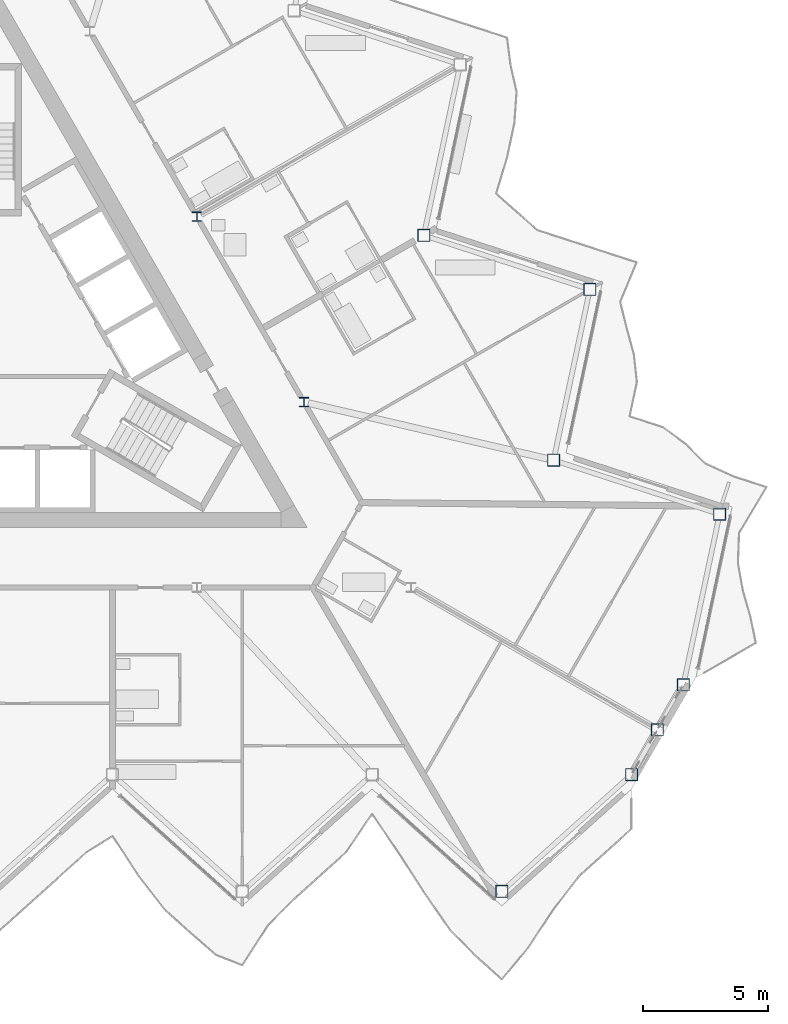
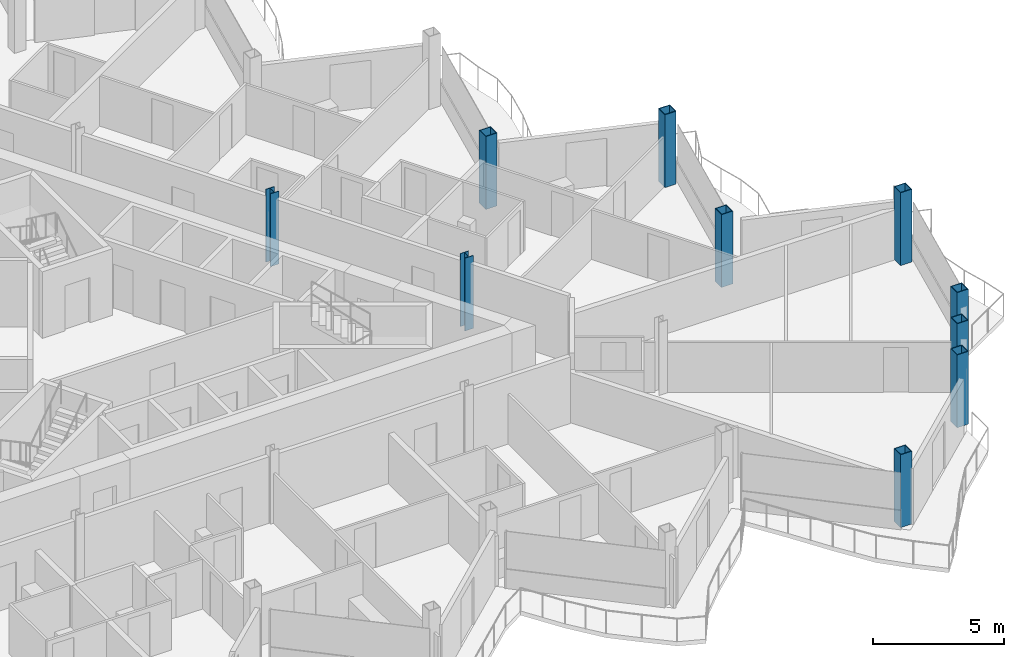
# One storey, part 2 of 26: 10 columns.
"""IFC4 building model written with IfcOpenShell, lengths in metres."""

from ifc_helpers import new_model, si_unit, direction, frame, origin, origin_2d, place, context, subcontext, project, spatial, hollow_rectangle, i_section, extrude, material, material_profile, profile_set, type_object, element, save


model = new_model("IFC4")

# Units and contexts
model_context = context("Model", 3, precision=1e-05, world=origin(), true_north=direction((0.0, 1.0)))
body_context = subcontext(model_context, "Body", "Model", "MODEL_VIEW")
ifc_project = project(units=[si_unit("LENGTHUNIT", "METRE"), si_unit("AREAUNIT", "SQUARE_METRE"), si_unit("VOLUMEUNIT", "CUBIC_METRE"), si_unit("PLANEANGLEUNIT", "RADIAN"), si_unit("MASSUNIT", "GRAM", prefix="KILO")], contexts=[model_context])

# Site, building, storey
site_placement = place(None, origin())
site = spatial("IfcSite", under=ifc_project, at=site_placement, CompositionType="ELEMENT")
building_placement = place(site_placement, origin())
building = spatial("IfcBuilding", under=site, at=building_placement, Name="Cormorant Prow Tower", CompositionType="ELEMENT")
storey_placement = place(building_placement, frame((0.0, 0.0, 374.60009765625)))
storey = spatial("IfcBuildingStorey", under=building, at=storey_placement, Name="L84", CompositionType="ELEMENT", Elevation=374.60009765625)

# Columns
ifc_material_1 = material(Name="Structural steel ASTM A572 Gr 50", Category="steel")
ifc_material_profile_1 = material_profile(ifc_material_1, hollow_rectangle(XDim=0.5, YDim=0.5, WallThickness=0.030029296875, at=origin_2d()), Name="Box 500x500x30")
ifc_profile_set_1 = profile_set([ifc_material_profile_1], Name="Structural steel ASTM A572 Gr 50")
column_type_1 = type_object("IfcColumnType", Name="Perimeter box column 500x500x30", PredefinedType="COLUMN", material=ifc_profile_set_1)
for number, where, z_axis, x_axis, name in (
    (1, (20.800048828125, -22.087890625, 0.0), (0.0, 0.0, 1.0), (1.0, 0.0, 0.0), "Perimeter column C7 at S09 L84"),
    (2, (26.0, -17.40576171875, 0.0), (0.0, 0.0, 1.0), (1.0, 0.0, 0.0), "Perimeter column C7 at ESE00 L84"),
    (3, (27.036865234375, -15.60986328125, 0.0), (0.0, 0.0, 1.0), (1.0, 0.0, 0.0), "Perimeter column C7 at ESE01 L84"),
    (4, (28.07373046875, -13.813720703125, 0.0), (0.0, 0.0, 1.0), (1.0, 0.0, 0.0), "Perimeter column C7 at ENE00 L84"),
    (5, (29.528564453125, -6.969482421875, 0.0), (0.0, 0.0, 1.0), (1.0, 0.0, 0.0), "Perimeter column C7 at ENE01 L84"),
    (6, (22.873779296875, -4.80712890625, 0.0), (0.0, 0.0, 1.0), (1.0, 0.0, 0.0), "Perimeter column C7 at ENE02 L84"),
    (7, (24.32861328125, 2.037353515625, 0.0), (0.0, 0.0, 1.0), (1.0, 0.0, 0.0), "Perimeter column C7 at ENE03 L84"),
    (8, (17.673828125, 4.199462890625, 0.0), (0.0, 0.0, 1.0), (1.0, 0.0, 0.0), "Perimeter column C7 at ENE04 L84"),
):
    element("IfcColumn", number, at=place(storey_placement, frame(where, z_axis=z_axis, x_axis=x_axis)), inside=storey, type_object=column_type_1, Name=name, PredefinedType="COLUMN", context=body_context, shape_type="SweptSolid", body=[
        extrude(hollow_rectangle(XDim=0.5, YDim=0.5, WallThickness=0.030029296875, at=origin_2d()), origin(), (0.0, 0.0, 1.0), 3.39990234375),
    ])
ifc_material_2 = material(Name="Structural steel ASTM A992 Gr 50", Category="steel")
ifc_material_profile_2 = material_profile(ifc_material_2, i_section(OverallWidth=0.3740234375, OverallDepth=0.372314453125, WebThickness=0.016357421875, FlangeThickness=0.026123046875, at=origin_2d()), Name="W14x132")
ifc_profile_set_2 = profile_set([ifc_material_profile_2], Name="Structural steel ASTM A992 Gr 50")
column_type_2 = type_object("IfcColumnType", Name="Ring column W14x132", PredefinedType="COLUMN", material=ifc_profile_set_2)
for number, where, z_axis, x_axis, name in (
    (9, (12.86767578125, -2.476318359375, 0.0), (0.0, 0.0, 1.0), (1.0, 0.0, 0.0), "Ring column 10 L84"),
    (10, (8.578369140625, 4.952880859375, 0.0), (0.0, 0.0, 1.0), (1.0, 0.0, 0.0), "Ring column 11 L84"),
):
    element("IfcColumn", number, at=place(storey_placement, frame(where, z_axis=z_axis, x_axis=x_axis)), inside=storey, type_object=column_type_2, Name=name, PredefinedType="COLUMN", context=body_context, shape_type="SweptSolid", body=[
        extrude(i_section(OverallWidth=0.3740234375, OverallDepth=0.372314453125, WebThickness=0.016357421875, FlangeThickness=0.026123046875, at=origin_2d()), origin(), (0.0, 0.0, 1.0), 3.39990234375),
    ])

save(model, "model.ifc")
